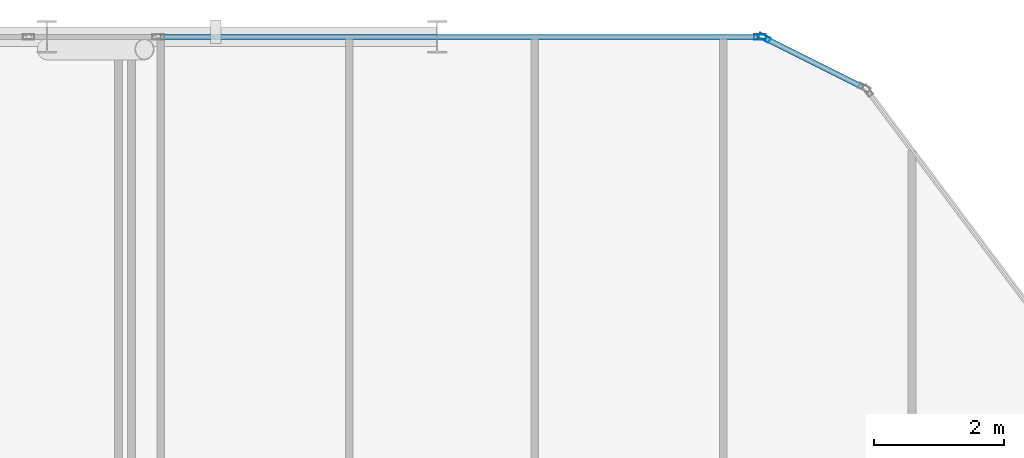
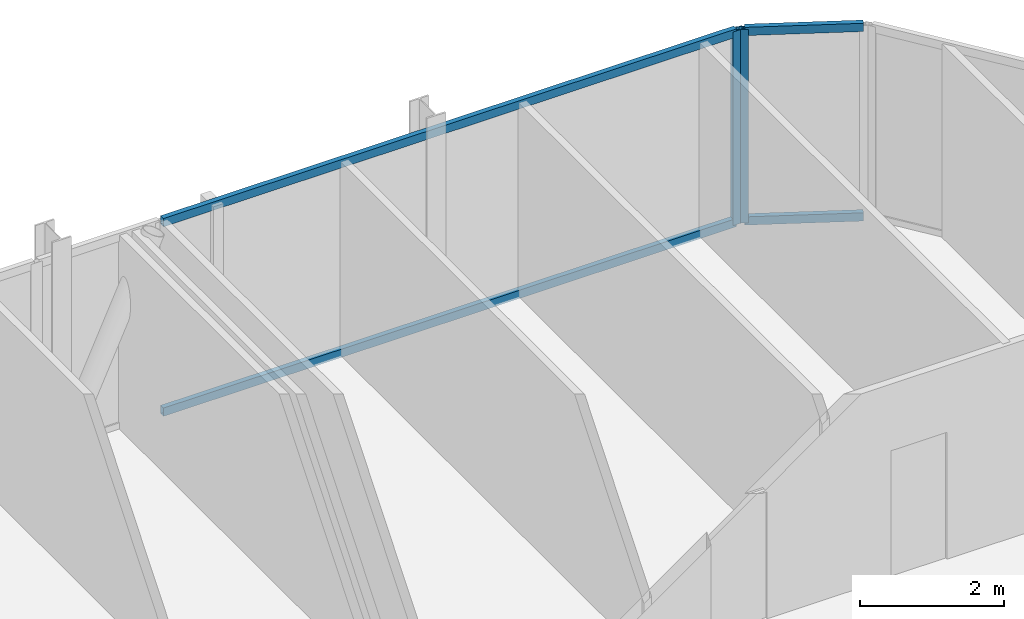
# One storey, part 21 of 31: 6 members, 2 elements without a shape of their own.
"""IFC4 building model written with IfcOpenShell, lengths in metres."""

import ifcopenshell
import ifcopenshell.guid

model = None  # the IFC model being written
_history = None  # IfcOwnerHistory: only IFC2X3 demands one
_inside = {}  # id of a spatial element -> (the spatial element, [elements in it])
_under = {}  # id of a project, library or spatial element -> (it, [spatial elements below it])
_declared = {}  # id of a project -> (the project, [libraries it declares])
_typed = {}  # id of a type object -> (the type object, [elements of that type])
_made_of = {}  # id of a material, layer set ... -> (it, [elements and type objects made of it])


def new_model(schema):
    """Start an empty IFC model of exactly this schema.

    Asked for "IFC4X3", IfcOpenShell would pick the latest addendum, in which some entities
    have other attributes; the version numbers below select the first issue.
    IFC2X3 requires an IfcOwnerHistory on every rooted entity: one is made here for all.
    """
    global model, _history
    if schema == "IFC4X3":
        model = ifcopenshell.file(schema_version=(4, 3, 0, 0))
    else:
        model = ifcopenshell.file(schema=schema)
    _inside.clear()
    _under.clear()
    _declared.clear()
    _typed.clear()
    _made_of.clear()
    _history = None
    if model.schema == "IFC2X3":
        org = make("IfcOrganization", Name="unknown")
        user = make(
            "IfcPersonAndOrganization",
            ThePerson=make("IfcPerson", FamilyName="unknown"),
            TheOrganization=org,
        )
        app = make(
            "IfcApplication",
            ApplicationDeveloper=org,
            Version="unknown",
            ApplicationFullName="unknown",
            ApplicationIdentifier="unknown",
        )
        _history = make(
            "IfcOwnerHistory",
            OwningUser=user,
            OwningApplication=app,
            ChangeAction="ADDED",
            CreationDate=0,
        )
    return model


def make(cls, **values):
    """One entity of the class cls with the attributes given. An attribute that is None is left unset."""
    return model.create_entity(
        cls, **{name: value for name, value in values.items() if value is not None}
    )


def rooted(cls, **values):
    """An entity with a GlobalId (a new one), such as an element, a storey or a relation."""
    return make(cls, GlobalId=ifcopenshell.guid.new(), OwnerHistory=_history, **values)


def si_unit(unit_type, name, prefix=None):
    """IfcSIUnit, for example si_unit("LENGTHUNIT", "METRE", prefix="MILLI")."""
    return make("IfcSIUnit", UnitType=unit_type, Prefix=prefix, Name=name)


def assignment(units):
    """IfcUnitAssignment: the units of a project."""
    return None if units is None else make("IfcUnitAssignment", Units=units)


def point(xyz):
    """IfcCartesianPoint."""
    return None if xyz is None else make("IfcCartesianPoint", Coordinates=xyz)


def direction(xyz):
    """IfcDirection."""
    return None if xyz is None else make("IfcDirection", DirectionRatios=xyz)


def frame(location, z_axis=None, x_axis=None):
    """IfcAxis2Placement3D, a coordinate frame: its origin and axes. An axis left out is left unset."""
    return make(
        "IfcAxis2Placement3D",
        Location=point(location),
        Axis=direction(z_axis),
        RefDirection=direction(x_axis),
    )


def frame_2d(location, x_axis=None):
    """IfcAxis2Placement2D, a coordinate frame in the plane: its origin and x axis."""
    return make(
        "IfcAxis2Placement2D", Location=point(location), RefDirection=direction(x_axis)
    )


def origin():
    """The frame at (0, 0, 0) with its axes left unset."""
    return frame((0.0, 0.0, 0.0))


def origin_2d():
    """The frame at (0, 0) in the plane with its x axis left unset."""
    return frame_2d((0.0, 0.0))


def place(relative_to, where):
    """IfcLocalPlacement: puts the frame where relative to a parent placement (None: the world)."""
    return make(
        "IfcLocalPlacement", PlacementRelTo=relative_to, RelativePlacement=where
    )


def context(
    kind, dimensions, precision=None, world=None, true_north=None, identifier=None
):
    """IfcGeometricRepresentationContext, for example the 3D "Model" context."""
    return make(
        "IfcGeometricRepresentationContext",
        ContextIdentifier=identifier,
        ContextType=kind,
        CoordinateSpaceDimension=dimensions,
        Precision=precision,
        WorldCoordinateSystem=world,
        TrueNorth=true_north,
    )


def subcontext(parent, identifier, kind, view, scale=None):
    """IfcGeometricRepresentationSubContext, for example "Body" below "Model"."""
    return make(
        "IfcGeometricRepresentationSubContext",
        ContextIdentifier=identifier,
        ContextType=kind,
        ParentContext=parent,
        TargetScale=scale,
        TargetView=view,
    )


def project(units=None, contexts=None):
    """IfcProject with its units and contexts."""
    return rooted(
        "IfcProject",
        Name="project",
        RepresentationContexts=contexts,
        UnitsInContext=assignment(units),
    )


def spatial(cls, under=None, at=None, **own):
    """A site, building, storey or space (cls), placed at a placement, below another one or the project."""
    s = rooted(cls, ObjectPlacement=at, **own)
    if under is not None:
        _under.setdefault(under.id(), (under, []))[1].append(s)
    return s


def profile(cls, at=None, kind="AREA", **sizes):
    """A parametric profile (cls). Its sizes go by their IFC names, for example OverallWidth=200.0."""
    return make(cls, ProfileType=kind, Position=at, **sizes)


def hollow_rectangle(**sizes):
    """IfcRectangleHollowProfileDef."""
    return profile("IfcRectangleHollowProfileDef", **sizes)


def extrude(swept, where, along, depth):
    """IfcExtrudedAreaSolid: the profile swept, set in the frame where, extruded along a direction by depth."""
    return make(
        "IfcExtrudedAreaSolid",
        SweptArea=swept,
        Position=where,
        ExtrudedDirection=direction(along),
        Depth=depth,
    )


def shape(context_of_items, identifier, shape_type, items):
    """IfcShapeRepresentation: the items that make up one representation, for example the "Body"."""
    return make(
        "IfcShapeRepresentation",
        ContextOfItems=context_of_items,
        RepresentationIdentifier=identifier,
        RepresentationType=shape_type,
        Items=items,
    )


def material(Name=None, Category=None):
    """IfcMaterial."""
    return make("IfcMaterial", Name=Name, Category=Category)


def layer(
    of_material, thickness, ventilated=None, Name=None, Category=None, Priority=None
):
    """IfcMaterialLayer: one layer of a wall or slab, of a material (None: an air gap)."""
    return make(
        "IfcMaterialLayer",
        Material=of_material,
        LayerThickness=thickness,
        IsVentilated=ventilated,
        Name=Name,
        Category=Category,
        Priority=Priority,
    )


def layer_set(layers, Name=None):
    """IfcMaterialLayerSet."""
    return make("IfcMaterialLayerSet", MaterialLayers=layers, LayerSetName=Name)


def material_profile(
    of_material, cross_section, Name=None, Category=None, Priority=None
):
    """IfcMaterialProfile: a cross section and its material."""
    return make(
        "IfcMaterialProfile",
        Name=Name,
        Material=of_material,
        Profile=cross_section,
        Priority=Priority,
        Category=Category,
    )


def profile_set(profiles, Name=None, composite=None):
    """IfcMaterialProfileSet."""
    return make(
        "IfcMaterialProfileSet",
        Name=Name,
        MaterialProfiles=profiles,
        CompositeProfile=composite,
    )


def made_of(thing, what):
    """Note that an element or type object is made of a material, layer set ...; save() writes the relation."""
    if what is not None:
        _made_of.setdefault(what.id(), (what, []))[1].append(thing)
    return thing


def type_object(cls, material=None, **own):
    """A type object (cls), such as IfcWallType, which elements share."""
    return made_of(rooted(cls, **own), material)


def element(
    cls,
    number,
    at=None,
    inside=None,
    cuts=None,
    type_object=None,
    material=None,
    context=None,
    identifier="Body",
    shape_type=None,
    held_by="IfcProductDefinitionShape",
    body=None,
    shapes=None,
    **own,
):
    """One element of the class cls, such as IfcWall. Its Tag is "e" and its number.

    at: its placement. inside: the storey or other place that contains it. cuts: it is an
    opening in that element (IfcRelVoidsElement). A single representation is given by context,
    identifier, shape_type and body (its items); several are given by shapes. held_by: the class
    of the entity that holds the representations. save() writes the other relations.
    """
    e = rooted(cls, Tag="e%d" % number, ObjectPlacement=at, **own)
    if body is not None:
        shapes = [shape(context, identifier, shape_type, body)]
    if shapes is not None:
        e.Representation = make(held_by, Representations=shapes)
    if inside is not None:
        _inside.setdefault(inside.id(), (inside, []))[1].append(e)
    if cuts is not None:
        rooted(
            "IfcRelVoidsElement", RelatingBuildingElement=cuts, RelatedOpeningElement=e
        )
    if type_object is not None:
        _typed.setdefault(type_object.id(), (type_object, []))[1].append(e)
    return made_of(e, material)


def aggregate(whole, parts):
    """IfcRelAggregates: a whole, such as a stair, and the parts it consists of."""
    return rooted("IfcRelAggregates", RelatingObject=whole, RelatedObjects=parts)


def save(model, path):
    """Write the relations noted so far, then the file.

    IfcRelAggregates (storeys below a building ...), IfcRelContainedInSpatialStructure (elements
    in a storey), IfcRelDefinesByType, IfcRelAssociatesMaterial and IfcRelDeclares: one each for
    every whole, place, type object, material and project.
    """
    for whole, parts in _under.values():
        aggregate(whole, parts)
    for where, things in _inside.values():
        rooted(
            "IfcRelContainedInSpatialStructure",
            RelatedElements=things,
            RelatingStructure=where,
        )
    for kind, things in _typed.values():
        rooted("IfcRelDefinesByType", RelatedObjects=things, RelatingType=kind)
    for what, things in _made_of.values():
        rooted("IfcRelAssociatesMaterial", RelatedObjects=things, RelatingMaterial=what)
    for by, libraries in _declared.values():
        rooted("IfcRelDeclares", RelatingContext=by, RelatedDefinitions=libraries)
    model.write(path)


model = new_model("IFC4")

# Units and contexts
model_context = context("Model", 3, precision=1e-05, world=origin(), true_north=direction((0.0, 1.0)))
body_context = subcontext(model_context, "Body", "Model", "MODEL_VIEW")
ifc_project = project(units=[si_unit("LENGTHUNIT", "METRE"), si_unit("AREAUNIT", "SQUARE_METRE"), si_unit("VOLUMEUNIT", "CUBIC_METRE"), si_unit("PLANEANGLEUNIT", "RADIAN"), si_unit("MASSUNIT", "GRAM", prefix="KILO")], contexts=[model_context])

# Site, building, storey
site_placement = place(None, origin())
site = spatial("IfcSite", under=ifc_project, at=site_placement, CompositionType="ELEMENT")
building_placement = place(site_placement, origin())
building = spatial("IfcBuilding", under=site, at=building_placement, Name="Keshet Zoharim Tower", CompositionType="ELEMENT")
storey_placement = place(building_placement, frame((0.0, 0.0, 155.699951171875)))
storey = spatial("IfcBuildingStorey", under=building, at=storey_placement, Name="L38", CompositionType="ELEMENT", Elevation=155.699951171875)

# Curtain wall, member
ifc_material = material(Name="Aluminium 6063-T6", Category="aluminium")
ifc_layer = layer(ifc_material, 0.159912109375)
ifc_layer_set = layer_set([ifc_layer], Name="Aluminium 6063-T6")
curtain_wall_type = type_object("IfcCurtainWallType", Name="CW-SYS-03", PredefinedType="NOTDEFINED", material=ifc_layer_set)
curtain_wall_1_placement = place(storey_placement, origin())
curtain_wall_1 = element("IfcCurtainWall", 1, at=curtain_wall_1_placement, inside=storey, type_object=curtain_wall_type, Name="L38 Unitised Curtain Wall 13 Part 5", PredefinedType="NOTDEFINED")
ifc_material_profile_1 = material_profile(ifc_material, hollow_rectangle(XDim=0.080078125, YDim=0.179931640625, WallThickness=0.00439453125, at=origin_2d()), Name="MUL-80x180")
ifc_profile_set_1 = profile_set([ifc_material_profile_1], Name="Aluminium 6063-T6")
member_type_1 = type_object("IfcMemberType", Name="CWM-M18", PredefinedType="MULLION", material=ifc_profile_set_1)
member_1_placement = place(storey_placement, frame((49.965087890625, 53.89990234375, 0.0), z_axis=(0.0, 0.0, 1.0), x_axis=(0.0, 1.0, 0.0)))
member_1 = element("IfcMember", 2, at=member_1_placement, type_object=member_type_1, Name="CW-03 mullion 2", PredefinedType="MULLION", context=body_context, shape_type="SweptSolid", body=[
    extrude(hollow_rectangle(XDim=0.080078125, YDim=0.179931640625, WallThickness=0.00439453125, at=origin_2d()), origin(), (0.0, 0.0, 1.0), 3.280029296875),
])

curtain_wall_2_placement = place(storey_placement, origin())
curtain_wall_2 = element("IfcCurtainWall", 3, at=curtain_wall_2_placement, inside=storey, type_object=curtain_wall_type, Name="L38 Unitised Curtain Wall 14", PredefinedType="NOTDEFINED")
member_2_placement = place(storey_placement, frame((50.03125, 53.88427734375, 0.0), z_axis=(0.0, 0.0, 1.0), x_axis=(0.447213595499, 0.894427191001, 0.0)))
member_2 = element("IfcMember", 4, at=member_2_placement, type_object=member_type_1, Name="CW-03 mullion 1", PredefinedType="MULLION", context=body_context, shape_type="SweptSolid", body=[
    extrude(hollow_rectangle(XDim=0.080078125, YDim=0.179931640625, WallThickness=0.00439453125, at=origin_2d()), origin(), (0.0, 0.0, 1.0), 3.280029296875),
])

# Member
ifc_material_profile_2 = material_profile(ifc_material, hollow_rectangle(XDim=0.080078125, YDim=0.139892578125, WallThickness=0.00390625, at=origin_2d()), Name="TRN-80x140")
ifc_profile_set_2 = profile_set([ifc_material_profile_2], Name="Aluminium 6063-T6")
member_type_2 = type_object("IfcMemberType", Name="CWT-T14", PredefinedType="USERDEFINED", material=ifc_profile_set_2)
member_3_placement = place(storey_placement, frame((40.747314453125, 53.89990234375, 0.03515625), z_axis=(1.0, 0.0, 0.0), x_axis=(0.0, 1.0, 0.0)))
member_3 = element("IfcMember", 5, at=member_3_placement, type_object=member_type_2, Name="CW-03 transom 1.1", ObjectType="TRANSOM", PredefinedType="USERDEFINED", context=body_context, shape_type="SweptSolid", body=[
    extrude(hollow_rectangle(XDim=0.080078125, YDim=0.139892578125, WallThickness=0.00390625, at=origin_2d()), origin(), (0.0, 0.0, 1.0), 9.1826171875),
])

member_4_placement = place(storey_placement, frame((40.747314453125, 53.89990234375, 3.2451171875), z_axis=(1.0, 0.0, 0.0), x_axis=(0.0, 1.0, 0.0)))
member_4 = element("IfcMember", 6, at=member_4_placement, type_object=member_type_2, Name="CW-03 transom 1.2", ObjectType="TRANSOM", PredefinedType="USERDEFINED", context=body_context, shape_type="SweptSolid", body=[
    extrude(hollow_rectangle(XDim=0.080078125, YDim=0.139892578125, WallThickness=0.00390625, at=origin_2d()), origin(), (0.0, 0.0, 1.0), 9.1826171875),
])

aggregate(curtain_wall_1, [member_1, member_3, member_4])

member_5_placement = place(storey_placement, frame((50.0625, 53.86865234375, 0.03515625), z_axis=(0.894456801911, -0.447154368775, 0.0), x_axis=(0.447154368775, 0.894456801911, 0.0)))
member_5 = element("IfcMember", 7, at=member_5_placement, type_object=member_type_2, Name="CW-03 transom 1.1", ObjectType="TRANSOM", PredefinedType="USERDEFINED", context=body_context, shape_type="SweptSolid", body=[
    extrude(hollow_rectangle(XDim=0.080078125, YDim=0.139892578125, WallThickness=0.00390625, at=origin_2d()), origin(), (0.0, 0.0, 1.0), 1.64892578125),
])

member_6_placement = place(storey_placement, frame((50.0625, 53.86865234375, 3.2451171875), z_axis=(0.894456801911, -0.447154368775, 0.0), x_axis=(0.447154368775, 0.894456801911, 0.0)))
member_6 = element("IfcMember", 8, at=member_6_placement, type_object=member_type_2, Name="CW-03 transom 1.2", ObjectType="TRANSOM", PredefinedType="USERDEFINED", context=body_context, shape_type="SweptSolid", body=[
    extrude(hollow_rectangle(XDim=0.080078125, YDim=0.139892578125, WallThickness=0.00390625, at=origin_2d()), origin(), (0.0, 0.0, 1.0), 1.64892578125),
])

aggregate(curtain_wall_2, [member_2, member_5, member_6])

save(model, "model.ifc")
